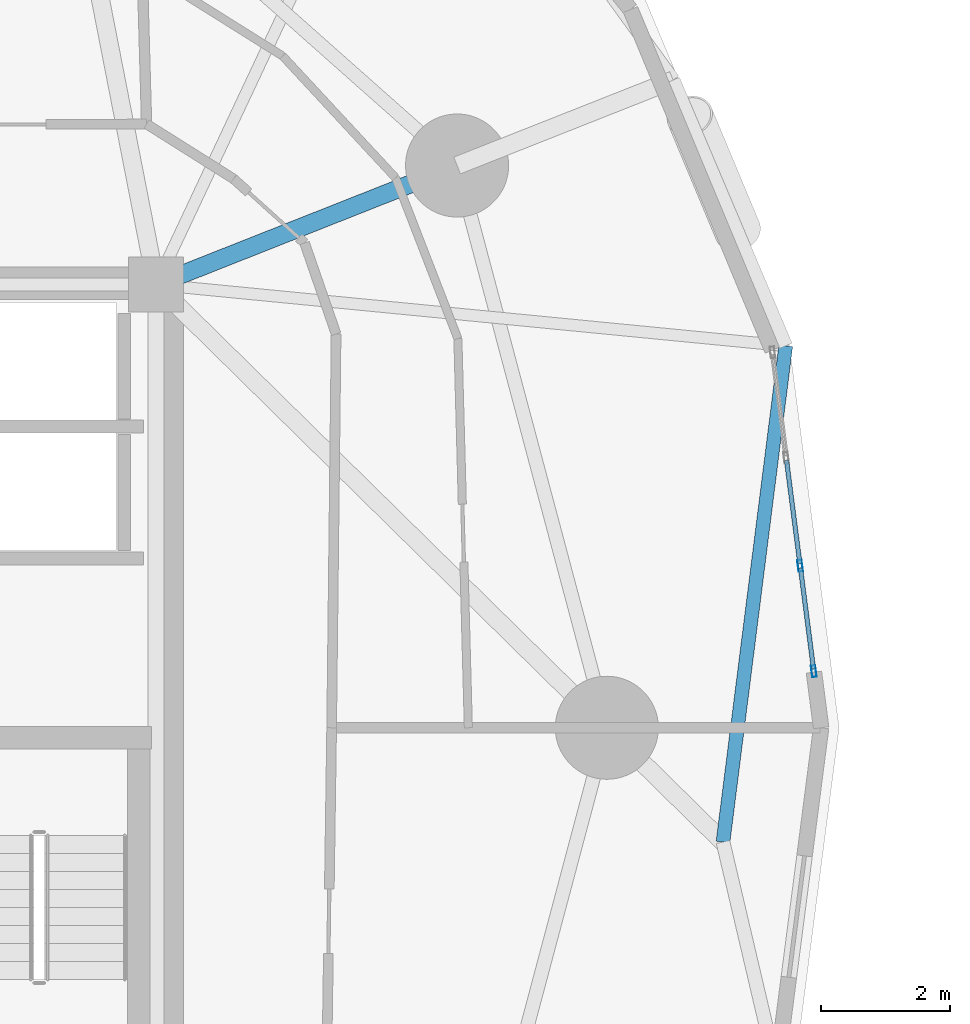
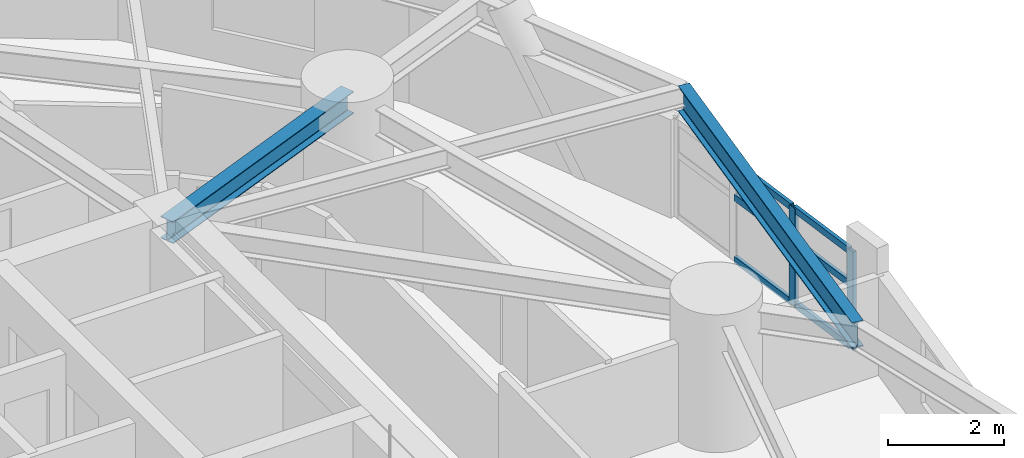
# One storey, part 2 of 19: 8 members, 2 beams, 1 element without a shape of its own.
"""IFC4 building model written with IfcOpenShell, lengths in metres."""

import ifcopenshell
import ifcopenshell.guid

model = None  # the IFC model being written
_history = None  # IfcOwnerHistory: only IFC2X3 demands one
_inside = {}  # id of a spatial element -> (the spatial element, [elements in it])
_under = {}  # id of a project, library or spatial element -> (it, [spatial elements below it])
_declared = {}  # id of a project -> (the project, [libraries it declares])
_typed = {}  # id of a type object -> (the type object, [elements of that type])
_made_of = {}  # id of a material, layer set ... -> (it, [elements and type objects made of it])


def new_model(schema):
    """Start an empty IFC model of exactly this schema.

    Asked for "IFC4X3", IfcOpenShell would pick the latest addendum, in which some entities
    have other attributes; the version numbers below select the first issue.
    IFC2X3 requires an IfcOwnerHistory on every rooted entity: one is made here for all.
    """
    global model, _history
    if schema == "IFC4X3":
        model = ifcopenshell.file(schema_version=(4, 3, 0, 0))
    else:
        model = ifcopenshell.file(schema=schema)
    _inside.clear()
    _under.clear()
    _declared.clear()
    _typed.clear()
    _made_of.clear()
    _history = None
    if model.schema == "IFC2X3":
        org = make("IfcOrganization", Name="unknown")
        user = make(
            "IfcPersonAndOrganization",
            ThePerson=make("IfcPerson", FamilyName="unknown"),
            TheOrganization=org,
        )
        app = make(
            "IfcApplication",
            ApplicationDeveloper=org,
            Version="unknown",
            ApplicationFullName="unknown",
            ApplicationIdentifier="unknown",
        )
        _history = make(
            "IfcOwnerHistory",
            OwningUser=user,
            OwningApplication=app,
            ChangeAction="ADDED",
            CreationDate=0,
        )
    return model


def make(cls, **values):
    """One entity of the class cls with the attributes given. An attribute that is None is left unset."""
    return model.create_entity(
        cls, **{name: value for name, value in values.items() if value is not None}
    )


def rooted(cls, **values):
    """An entity with a GlobalId (a new one), such as an element, a storey or a relation."""
    return make(cls, GlobalId=ifcopenshell.guid.new(), OwnerHistory=_history, **values)


def si_unit(unit_type, name, prefix=None):
    """IfcSIUnit, for example si_unit("LENGTHUNIT", "METRE", prefix="MILLI")."""
    return make("IfcSIUnit", UnitType=unit_type, Prefix=prefix, Name=name)


def assignment(units):
    """IfcUnitAssignment: the units of a project."""
    return None if units is None else make("IfcUnitAssignment", Units=units)


def point(xyz):
    """IfcCartesianPoint."""
    return None if xyz is None else make("IfcCartesianPoint", Coordinates=xyz)


def direction(xyz):
    """IfcDirection."""
    return None if xyz is None else make("IfcDirection", DirectionRatios=xyz)


def frame(location, z_axis=None, x_axis=None):
    """IfcAxis2Placement3D, a coordinate frame: its origin and axes. An axis left out is left unset."""
    return make(
        "IfcAxis2Placement3D",
        Location=point(location),
        Axis=direction(z_axis),
        RefDirection=direction(x_axis),
    )


def frame_2d(location, x_axis=None):
    """IfcAxis2Placement2D, a coordinate frame in the plane: its origin and x axis."""
    return make(
        "IfcAxis2Placement2D", Location=point(location), RefDirection=direction(x_axis)
    )


def origin():
    """The frame at (0, 0, 0) with its axes left unset."""
    return frame((0.0, 0.0, 0.0))


def origin_2d():
    """The frame at (0, 0) in the plane with its x axis left unset."""
    return frame_2d((0.0, 0.0))


def place(relative_to, where):
    """IfcLocalPlacement: puts the frame where relative to a parent placement (None: the world)."""
    return make(
        "IfcLocalPlacement", PlacementRelTo=relative_to, RelativePlacement=where
    )


def context(
    kind, dimensions, precision=None, world=None, true_north=None, identifier=None
):
    """IfcGeometricRepresentationContext, for example the 3D "Model" context."""
    return make(
        "IfcGeometricRepresentationContext",
        ContextIdentifier=identifier,
        ContextType=kind,
        CoordinateSpaceDimension=dimensions,
        Precision=precision,
        WorldCoordinateSystem=world,
        TrueNorth=true_north,
    )


def subcontext(parent, identifier, kind, view, scale=None):
    """IfcGeometricRepresentationSubContext, for example "Body" below "Model"."""
    return make(
        "IfcGeometricRepresentationSubContext",
        ContextIdentifier=identifier,
        ContextType=kind,
        ParentContext=parent,
        TargetScale=scale,
        TargetView=view,
    )


def project(units=None, contexts=None):
    """IfcProject with its units and contexts."""
    return rooted(
        "IfcProject",
        Name="project",
        RepresentationContexts=contexts,
        UnitsInContext=assignment(units),
    )


def spatial(cls, under=None, at=None, **own):
    """A site, building, storey or space (cls), placed at a placement, below another one or the project."""
    s = rooted(cls, ObjectPlacement=at, **own)
    if under is not None:
        _under.setdefault(under.id(), (under, []))[1].append(s)
    return s


def profile(cls, at=None, kind="AREA", **sizes):
    """A parametric profile (cls). Its sizes go by their IFC names, for example OverallWidth=200.0."""
    return make(cls, ProfileType=kind, Position=at, **sizes)


def hollow_rectangle(**sizes):
    """IfcRectangleHollowProfileDef."""
    return profile("IfcRectangleHollowProfileDef", **sizes)


def i_section(**sizes):
    """IfcIShapeProfileDef."""
    return profile("IfcIShapeProfileDef", **sizes)


def extrude(swept, where, along, depth):
    """IfcExtrudedAreaSolid: the profile swept, set in the frame where, extruded along a direction by depth."""
    return make(
        "IfcExtrudedAreaSolid",
        SweptArea=swept,
        Position=where,
        ExtrudedDirection=direction(along),
        Depth=depth,
    )


def shape(context_of_items, identifier, shape_type, items):
    """IfcShapeRepresentation: the items that make up one representation, for example the "Body"."""
    return make(
        "IfcShapeRepresentation",
        ContextOfItems=context_of_items,
        RepresentationIdentifier=identifier,
        RepresentationType=shape_type,
        Items=items,
    )


def material(Name=None, Category=None):
    """IfcMaterial."""
    return make("IfcMaterial", Name=Name, Category=Category)


def layer(
    of_material, thickness, ventilated=None, Name=None, Category=None, Priority=None
):
    """IfcMaterialLayer: one layer of a wall or slab, of a material (None: an air gap)."""
    return make(
        "IfcMaterialLayer",
        Material=of_material,
        LayerThickness=thickness,
        IsVentilated=ventilated,
        Name=Name,
        Category=Category,
        Priority=Priority,
    )


def layer_set(layers, Name=None):
    """IfcMaterialLayerSet."""
    return make("IfcMaterialLayerSet", MaterialLayers=layers, LayerSetName=Name)


def material_profile(
    of_material, cross_section, Name=None, Category=None, Priority=None
):
    """IfcMaterialProfile: a cross section and its material."""
    return make(
        "IfcMaterialProfile",
        Name=Name,
        Material=of_material,
        Profile=cross_section,
        Priority=Priority,
        Category=Category,
    )


def profile_set(profiles, Name=None, composite=None):
    """IfcMaterialProfileSet."""
    return make(
        "IfcMaterialProfileSet",
        Name=Name,
        MaterialProfiles=profiles,
        CompositeProfile=composite,
    )


def made_of(thing, what):
    """Note that an element or type object is made of a material, layer set ...; save() writes the relation."""
    if what is not None:
        _made_of.setdefault(what.id(), (what, []))[1].append(thing)
    return thing


def type_object(cls, material=None, **own):
    """A type object (cls), such as IfcWallType, which elements share."""
    return made_of(rooted(cls, **own), material)


def element(
    cls,
    number,
    at=None,
    inside=None,
    cuts=None,
    type_object=None,
    material=None,
    context=None,
    identifier="Body",
    shape_type=None,
    held_by="IfcProductDefinitionShape",
    body=None,
    shapes=None,
    **own,
):
    """One element of the class cls, such as IfcWall. Its Tag is "e" and its number.

    at: its placement. inside: the storey or other place that contains it. cuts: it is an
    opening in that element (IfcRelVoidsElement). A single representation is given by context,
    identifier, shape_type and body (its items); several are given by shapes. held_by: the class
    of the entity that holds the representations. save() writes the other relations.
    """
    e = rooted(cls, Tag="e%d" % number, ObjectPlacement=at, **own)
    if body is not None:
        shapes = [shape(context, identifier, shape_type, body)]
    if shapes is not None:
        e.Representation = make(held_by, Representations=shapes)
    if inside is not None:
        _inside.setdefault(inside.id(), (inside, []))[1].append(e)
    if cuts is not None:
        rooted(
            "IfcRelVoidsElement", RelatingBuildingElement=cuts, RelatedOpeningElement=e
        )
    if type_object is not None:
        _typed.setdefault(type_object.id(), (type_object, []))[1].append(e)
    return made_of(e, material)


def aggregate(whole, parts):
    """IfcRelAggregates: a whole, such as a stair, and the parts it consists of."""
    return rooted("IfcRelAggregates", RelatingObject=whole, RelatedObjects=parts)


def save(model, path):
    """Write the relations noted so far, then the file.

    IfcRelAggregates (storeys below a building ...), IfcRelContainedInSpatialStructure (elements
    in a storey), IfcRelDefinesByType, IfcRelAssociatesMaterial and IfcRelDeclares: one each for
    every whole, place, type object, material and project.
    """
    for whole, parts in _under.values():
        aggregate(whole, parts)
    for where, things in _inside.values():
        rooted(
            "IfcRelContainedInSpatialStructure",
            RelatedElements=things,
            RelatingStructure=where,
        )
    for kind, things in _typed.values():
        rooted("IfcRelDefinesByType", RelatedObjects=things, RelatingType=kind)
    for what, things in _made_of.values():
        rooted("IfcRelAssociatesMaterial", RelatedObjects=things, RelatingMaterial=what)
    for by, libraries in _declared.values():
        rooted("IfcRelDeclares", RelatingContext=by, RelatedDefinitions=libraries)
    model.write(path)


model = new_model("IFC4")

# Units and contexts
model_context = context("Model", 3, precision=1e-05, world=origin(), true_north=direction((0.0, 1.0)))
body_context = subcontext(model_context, "Body", "Model", "MODEL_VIEW")
ifc_project = project(units=[si_unit("LENGTHUNIT", "METRE"), si_unit("AREAUNIT", "SQUARE_METRE"), si_unit("VOLUMEUNIT", "CUBIC_METRE"), si_unit("PLANEANGLEUNIT", "RADIAN"), si_unit("MASSUNIT", "GRAM", prefix="KILO")], contexts=[model_context])

# Site, building, storey
site_placement = place(None, origin())
site = spatial("IfcSite", under=ifc_project, at=site_placement, CompositionType="ELEMENT")
building_placement = place(site_placement, origin())
building = spatial("IfcBuilding", under=site, at=building_placement, Name="Cununo Teusaquillo Station Towers", CompositionType="ELEMENT")
storey_placement = place(building_placement, frame((0.0, 0.0, 42.3701171875)))
storey = spatial("IfcBuildingStorey", under=building, at=storey_placement, Name="L12", CompositionType="ELEMENT", Elevation=42.3701171875)

# Beams
ifc_material_1 = material(Name="Steel ASTM A572 Grade 50", Category="steel")
ifc_material_profile_1 = material_profile(ifc_material_1, i_section(OverallWidth=0.280029296875, OverallDepth=0.462890625, WebThickness=0.0107421875, FlangeThickness=0.017333984375, FilletRadius=0.013916015625, at=origin_2d()), Name="W18X76")
ifc_profile_set_1 = profile_set([ifc_material_profile_1], Name="Steel ASTM A572 Grade 50")
beam_type_1 = type_object("IfcBeamType", Name="BM-RAD-G1", PredefinedType="BEAM", material=ifc_profile_set_1)
beam_1_placement = place(storey_placement, frame((21.675048828125, 31.3798828125, 2.41845703125), z_axis=(0.929864104313, 0.367903176814, 0.0), x_axis=(-0.367903176814, 0.929864104313, 0.0)))
element("IfcBeam", 1, at=beam_1_placement, inside=storey, type_object=beam_type_1, Name="L12 Tower A Radial Girder 02A", PredefinedType="BEAM", context=body_context, shape_type="SweptSolid", body=[
    extrude(i_section(OverallWidth=0.280029296875, OverallDepth=0.462890625, WebThickness=0.0107421875, FlangeThickness=0.017333984375, FilletRadius=0.013916015625, at=origin_2d()), origin(), (0.0, 0.0, 1.0), 5.02490234375),
])
ifc_material_2 = material(Name="Steel ASTM A572 Grade 50", Category="steel")
ifc_material_profile_2 = material_profile(ifc_material_2, i_section(OverallWidth=0.214111328125, OverallDepth=0.549072265625, WebThickness=0.0146484375, FlangeThickness=0.023681640625, FilletRadius=0.014892578125, at=origin_2d()), Name="W21X93")
ifc_profile_set_2 = profile_set([ifc_material_profile_2], Name="Steel ASTM A572 Grade 50")
beam_type_2 = type_object("IfcBeamType", Name="BM-RING-Z1", PredefinedType="SPANDREL", material=ifc_profile_set_2)
beam_2_placement = place(storey_placement, frame((30.4755859375, 22.726806640625, 2.37548828125), z_axis=(0.125458746224, 0.992098837312, 0.0), x_axis=(-0.992098837312, 0.125458746224, 0.0)))
element("IfcBeam", 2, at=beam_2_placement, inside=storey, type_object=beam_type_2, Name="L12 Tower A Spandrel Ring Beam 01", PredefinedType="SPANDREL", context=body_context, shape_type="SweptSolid", body=[
    extrude(i_section(OverallWidth=0.214111328125, OverallDepth=0.549072265625, WebThickness=0.0146484375, FlangeThickness=0.023681640625, FilletRadius=0.014892578125, at=origin_2d()), origin(), (0.0, 0.0, 1.0), 7.764404296875),
])

# Curtain wall, members
ifc_material_3 = material(Name="Ceramic-fritted dark low-E double glazing", Category="glass")
ifc_layer = layer(ifc_material_3, 0.179931640625)
ifc_layer_set = layer_set([ifc_layer], Name="Ceramic-fritted dark low-E double glazing")
curtain_wall_type = type_object("IfcCurtainWallType", Name="CW-SYS-02", PredefinedType="USERDEFINED", material=ifc_layer_set)
curtain_wall_placement = place(storey_placement, origin())
curtain_wall = element("IfcCurtainWall", 3, at=curtain_wall_placement, inside=storey, type_object=curtain_wall_type, Name="L12 Tower A Facade Curtain Wall C00", ObjectType="FRITTED GLAZING", PredefinedType="USERDEFINED")
ifc_material_4 = material(Name="Anodised dark bronze aluminium EN AW-6063-T6", Category="aluminium")
ifc_material_profile_3 = material_profile(ifc_material_4, hollow_rectangle(XDim=0.070068359375, YDim=0.179931640625, WallThickness=0.00390625, at=origin_2d()), Name="CW-MULL-70x180")
ifc_profile_set_3 = profile_set([ifc_material_profile_3], Name="Anodised dark bronze aluminium EN AW-6063-T6")
member_type_1 = type_object("IfcMemberType", Name="CWM-180", PredefinedType="MULLION", material=ifc_profile_set_3)
member_1_placement = place(storey_placement, frame((31.67333984375, 27.01611328125, 0.0), z_axis=(0.0, 0.0, 1.0), x_axis=(0.991730798481, 0.128335588771, 0.0)))
member_1 = element("IfcMember", 4, at=member_1_placement, type_object=member_type_1, Name="CW-02 mullion 3", PredefinedType="MULLION", context=body_context, shape_type="SweptSolid", body=[
    extrude(hollow_rectangle(XDim=0.070068359375, YDim=0.179931640625, WallThickness=0.00390625, at=origin_2d()), origin(), (0.0, 0.0, 1.0), 2.072998046875),
])
member_2_placement = place(storey_placement, frame((31.885498046875, 25.377685546875, 0.0), z_axis=(0.0, 0.0, 1.0), x_axis=(0.991730798481, 0.128335588771, 0.0)))
member_2 = element("IfcMember", 5, at=member_2_placement, type_object=member_type_1, Name="CW-02 mullion 4", PredefinedType="MULLION", context=body_context, shape_type="SweptSolid", body=[
    extrude(hollow_rectangle(XDim=0.070068359375, YDim=0.179931640625, WallThickness=0.00390625, at=origin_2d()), origin(), (0.0, 0.0, 1.0), 2.072998046875),
])
ifc_material_5 = material(Name="Anodised dark bronze aluminium EN AW-6063-T6", Category="aluminium")
ifc_material_profile_4 = material_profile(ifc_material_5, hollow_rectangle(XDim=0.070068359375, YDim=0.139892578125, WallThickness=0.00390625, at=origin_2d()), Name="CW-TRAN-70x140")
ifc_profile_set_4 = profile_set([ifc_material_profile_4], Name="Anodised dark bronze aluminium EN AW-6063-T6")
member_type_2 = type_object("IfcMemberType", Name="CWT-140", PredefinedType="USERDEFINED", material=ifc_profile_set_4)
member_3_placement = place(storey_placement, frame((31.46142578125, 28.654296875, 0.034912109375), z_axis=(0.128345027476, -0.991729577013, 0.0), x_axis=(0.991729577013, 0.128345027476, 0.0)))
member_3 = element("IfcMember", 6, at=member_3_placement, type_object=member_type_2, Name="CW-02 transom 2.1", ObjectType="TRANSOM", PredefinedType="USERDEFINED", context=body_context, shape_type="SweptSolid", body=[
    extrude(hollow_rectangle(XDim=0.070068359375, YDim=0.139892578125, WallThickness=0.00390625, at=origin_2d()), origin(), (0.0, 0.0, 1.0), 1.616943359375),
])
member_4_placement = place(storey_placement, frame((31.46142578125, 28.654296875, 1.346923828125), z_axis=(0.128345027476, -0.991729577013, 0.0), x_axis=(0.991729577013, 0.128345027476, 0.0)))
member_4 = element("IfcMember", 7, at=member_4_placement, type_object=member_type_2, Name="CW-02 transom 2.2", ObjectType="TRANSOM", PredefinedType="USERDEFINED", context=body_context, shape_type="SweptSolid", body=[
    extrude(hollow_rectangle(XDim=0.070068359375, YDim=0.139892578125, WallThickness=0.00390625, at=origin_2d()), origin(), (0.0, 0.0, 1.0), 1.616943359375),
])
member_5_placement = place(storey_placement, frame((31.46142578125, 28.654296875, 2.037841796875), z_axis=(0.128345027476, -0.991729577013, 0.0), x_axis=(0.991729577013, 0.128345027476, 0.0)))
member_5 = element("IfcMember", 8, at=member_5_placement, type_object=member_type_2, Name="CW-02 transom 2.3", ObjectType="TRANSOM", PredefinedType="USERDEFINED", context=body_context, shape_type="SweptSolid", body=[
    extrude(hollow_rectangle(XDim=0.070068359375, YDim=0.139892578125, WallThickness=0.00390625, at=origin_2d()), origin(), (0.0, 0.0, 1.0), 1.616943359375),
])
member_6_placement = place(storey_placement, frame((31.677978515625, 26.981201171875, 0.034912109375), z_axis=(0.128250458302, -0.991741811131, 0.0), x_axis=(0.991741811131, 0.128250458302, 0.0)))
member_6 = element("IfcMember", 9, at=member_6_placement, type_object=member_type_2, Name="CW-02 transom 3.1", ObjectType="TRANSOM", PredefinedType="USERDEFINED", context=body_context, shape_type="SweptSolid", body=[
    extrude(hollow_rectangle(XDim=0.070068359375, YDim=0.139892578125, WallThickness=0.00390625, at=origin_2d()), origin(), (0.0, 0.0, 1.0), 1.58203125),
])
member_7_placement = place(storey_placement, frame((31.677978515625, 26.981201171875, 1.346923828125), z_axis=(0.128250458302, -0.991741811131, 0.0), x_axis=(0.991741811131, 0.128250458302, 0.0)))
member_7 = element("IfcMember", 10, at=member_7_placement, type_object=member_type_2, Name="CW-02 transom 3.2", ObjectType="TRANSOM", PredefinedType="USERDEFINED", context=body_context, shape_type="SweptSolid", body=[
    extrude(hollow_rectangle(XDim=0.070068359375, YDim=0.139892578125, WallThickness=0.00390625, at=origin_2d()), origin(), (0.0, 0.0, 1.0), 1.58203125),
])
member_8_placement = place(storey_placement, frame((31.677978515625, 26.981201171875, 2.037841796875), z_axis=(0.128250458302, -0.991741811131, 0.0), x_axis=(0.991741811131, 0.128250458302, 0.0)))
member_8 = element("IfcMember", 11, at=member_8_placement, type_object=member_type_2, Name="CW-02 transom 3.3", ObjectType="TRANSOM", PredefinedType="USERDEFINED", context=body_context, shape_type="SweptSolid", body=[
    extrude(hollow_rectangle(XDim=0.070068359375, YDim=0.139892578125, WallThickness=0.00390625, at=origin_2d()), origin(), (0.0, 0.0, 1.0), 1.58203125),
])
aggregate(curtain_wall, [member_1, member_2, member_3, member_4, member_5, member_6, member_7, member_8])

save(model, "model.ifc")
